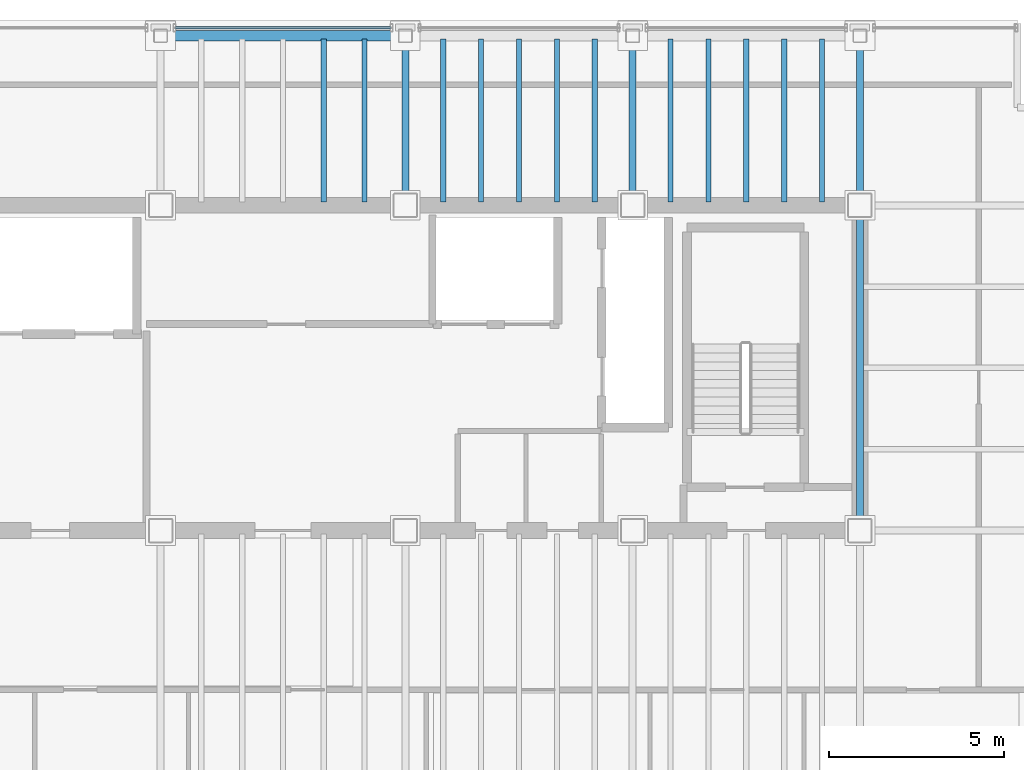
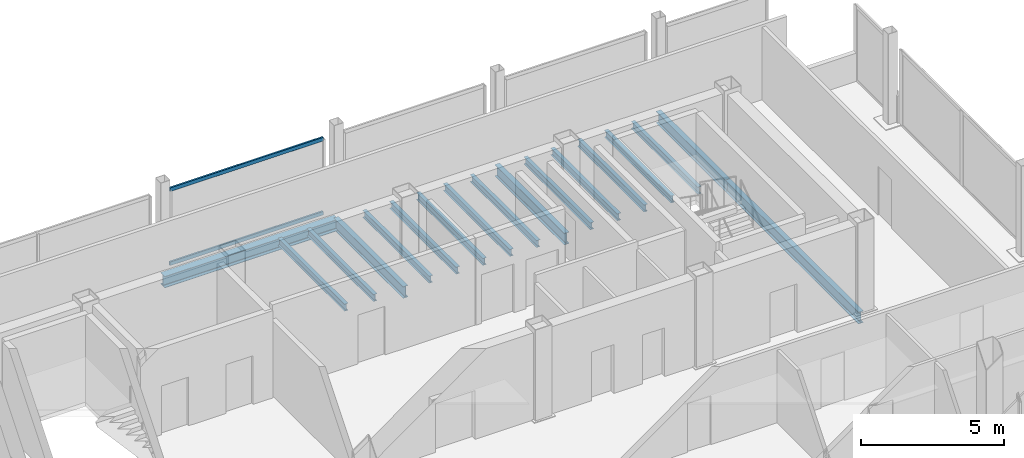
# One storey, part 9 of 17: 17 beams, 2 members, 1 element without a shape of its own.
"""IFC4 building model written with IfcOpenShell, lengths in metres."""

from ifc_helpers import new_model, si_unit, direction, frame, origin, origin_2d, place, context, subcontext, project, spatial, hollow_rectangle, i_section, extrude, material, material_profile, profile_set, type_object, element, aggregate, save


model = new_model("IFC4")

# Units and contexts
model_context = context("Model", 3, precision=1e-05, world=origin(), true_north=direction((0.0, 1.0)))
body_context = subcontext(model_context, "Body", "Model", "MODEL_VIEW")
ifc_project = project(units=[si_unit("LENGTHUNIT", "METRE"), si_unit("AREAUNIT", "SQUARE_METRE"), si_unit("VOLUMEUNIT", "CUBIC_METRE"), si_unit("PLANEANGLEUNIT", "RADIAN"), si_unit("MASSUNIT", "GRAM", prefix="KILO")], contexts=[model_context])

# Site, building, storey
site_placement = place(None, origin())
site = spatial("IfcSite", under=ifc_project, at=site_placement, CompositionType="ELEMENT")
building_placement = place(site_placement, origin())
building = spatial("IfcBuilding", under=site, at=building_placement, Name="Noeulbin Bourse Tower", CompositionType="ELEMENT")
storey_placement = place(building_placement, frame((0.0, 0.0, 293.0)))
storey = spatial("IfcBuildingStorey", under=building, at=storey_placement, Name="L73", CompositionType="ELEMENT", Elevation=293.0)

# Beams
ifc_material_1 = material(Name="Steel S355", Category="steel")
ifc_material_profile_1 = material_profile(ifc_material_1, i_section(OverallWidth=0.199951171875, OverallDepth=0.5, WebThickness=0.010009765625, FlangeThickness=0.01611328125, FilletRadius=0.02001953125, at=origin_2d()), Name="H-500x200x10x16", Category="LoadBearing")
ifc_profile_set_1 = profile_set([ifc_material_profile_1], Name="Steel S355")
beam_type_1 = type_object("IfcBeamType", Name="BM-GRD-500", PredefinedType="USERDEFINED", material=ifc_profile_set_1)
for number, where, z_axis, x_axis, name in (
    (1, (31.0, 38.300048828125, -0.429931640625), (0.0, 1.0, 0.0), (-1.0, 0.0, 0.0), "Tower Primary Girder NS L73-3.4"),
    (2, (37.5, 38.300048828125, -0.429931640625), (0.0, 1.0, 0.0), (-1.0, 0.0, 0.0), "Tower Primary Girder NS L73-4.4"),
):
    element("IfcBeam", number, at=place(storey_placement, frame(where, z_axis=z_axis, x_axis=x_axis)), inside=storey, type_object=beam_type_1, Name=name, ObjectType="GIRDER", PredefinedType="USERDEFINED", context=body_context, shape_type="SweptSolid", body=[
        extrude(i_section(OverallWidth=0.199951171875, OverallDepth=0.5, WebThickness=0.010009765625, FlangeThickness=0.01611328125, FilletRadius=0.02001953125, at=origin_2d()), origin(), (0.0, 0.0, 1.0), 4.849853515625),
    ])
beam_1_placement = place(storey_placement, frame((44.0, 29.0, -0.429931640625), z_axis=(0.0, 1.0, 0.0), x_axis=(-1.0, 0.0, 0.0)))
element("IfcBeam", 3, at=beam_1_placement, inside=storey, type_object=beam_type_1, Name="Tower Primary Girder NS L73-5.3", ObjectType="GIRDER", PredefinedType="USERDEFINED", context=body_context, shape_type="SweptSolid", body=[
    extrude(i_section(OverallWidth=0.199951171875, OverallDepth=0.5, WebThickness=0.010009765625, FlangeThickness=0.01611328125, FilletRadius=0.02001953125, at=origin_2d()), origin(), (0.0, 0.0, 1.0), 9.300048828125),
])
beam_2_placement = place(storey_placement, frame((44.0, 38.300048828125, -0.429931640625), z_axis=(0.0, 1.0, 0.0), x_axis=(-1.0, 0.0, 0.0)))
element("IfcBeam", 4, at=beam_2_placement, inside=storey, type_object=beam_type_1, Name="Tower Primary Girder NS L73-5.4", ObjectType="GIRDER", PredefinedType="USERDEFINED", context=body_context, shape_type="SweptSolid", body=[
    extrude(i_section(OverallWidth=0.199951171875, OverallDepth=0.5, WebThickness=0.010009765625, FlangeThickness=0.01611328125, FilletRadius=0.02001953125, at=origin_2d()), origin(), (0.0, 0.0, 1.0), 4.849853515625),
])
ifc_material_profile_2 = material_profile(ifc_material_1, i_section(OverallWidth=0.14990234375, OverallDepth=0.300048828125, WebThickness=0.006591796875, FlangeThickness=0.009033203125, FilletRadius=0.012939453125, at=origin_2d()), Name="H-300x150x6.5x9", Category="LoadBearing")
ifc_profile_set_2 = profile_set([ifc_material_profile_2], Name="Steel S355")
beam_type_2 = type_object("IfcBeamType", Name="BM-JST-300", PredefinedType="JOIST", material=ifc_profile_set_2)
for number, where, z_axis, x_axis, name in (
    (5, (28.666748046875, 38.39990234375, -0.330078125), (0.0, 1.0, 0.0), (-1.0, 0.0, 0.0), "Tower Composite Joist L73-08"),
    (6, (29.833251953125, 38.39990234375, -0.330078125), (0.0, 1.0, 0.0), (-1.0, 0.0, 0.0), "Tower Composite Joist L73-10"),
    (7, (32.083251953125, 38.39990234375, -0.330078125), (0.0, 1.0, 0.0), (-1.0, 0.0, 0.0), "Tower Composite Joist L73-12"),
    (8, (33.166748046875, 38.39990234375, -0.330078125), (0.0, 1.0, 0.0), (-1.0, 0.0, 0.0), "Tower Composite Joist L73-14"),
    (9, (34.25, 38.39990234375, -0.330078125), (0.0, 1.0, 0.0), (-1.0, 0.0, 0.0), "Tower Composite Joist L73-16"),
    (10, (35.333251953125, 38.39990234375, -0.330078125), (0.0, 1.0, 0.0), (-1.0, 0.0, 0.0), "Tower Composite Joist L73-18"),
    (11, (36.416748046875, 38.39990234375, -0.330078125), (0.0, 1.0, 0.0), (-1.0, 0.0, 0.0), "Tower Composite Joist L73-20"),
    (12, (38.583251953125, 38.39990234375, -0.330078125), (0.0, 1.0, 0.0), (-1.0, 0.0, 0.0), "Tower Composite Joist L73-22"),
    (13, (39.666748046875, 38.39990234375, -0.330078125), (0.0, 1.0, 0.0), (-1.0, 0.0, 0.0), "Tower Composite Joist L73-24"),
    (14, (40.75, 38.39990234375, -0.330078125), (0.0, 1.0, 0.0), (-1.0, 0.0, 0.0), "Tower Composite Joist L73-26"),
    (15, (41.833251953125, 38.39990234375, -0.330078125), (0.0, 1.0, 0.0), (-1.0, 0.0, 0.0), "Tower Composite Joist L73-28"),
    (16, (42.916748046875, 38.39990234375, -0.330078125), (0.0, 1.0, 0.0), (-1.0, 0.0, 0.0), "Tower Composite Joist L73-30"),
):
    element("IfcBeam", number, at=place(storey_placement, frame(where, z_axis=z_axis, x_axis=x_axis)), inside=storey, type_object=beam_type_2, Name=name, PredefinedType="JOIST", context=body_context, shape_type="SweptSolid", body=[
        extrude(i_section(OverallWidth=0.14990234375, OverallDepth=0.300048828125, WebThickness=0.006591796875, FlangeThickness=0.009033203125, FilletRadius=0.012939453125, at=origin_2d()), origin(), (0.0, 0.0, 1.0), 4.650146484375),
    ])
ifc_material_profile_3 = material_profile(ifc_material_1, i_section(OverallWidth=0.300048828125, OverallDepth=0.488037109375, WebThickness=0.010986328125, FlangeThickness=0.01806640625, FilletRadius=0.02197265625, at=origin_2d()), Name="H-488x300x11x18", Category="LoadBearing")
ifc_profile_set_3 = profile_set([ifc_material_profile_3], Name="Steel S355")
beam_type_3 = type_object("IfcBeamType", Name="BM-SPN-488", PredefinedType="SPANDREL", material=ifc_profile_set_3)
beam_3_placement = place(storey_placement, frame((24.0, 43.14990234375, -0.424072265625), z_axis=(1.0, 0.0, 0.0), x_axis=(0.0, 1.0, 0.0)))
element("IfcBeam", 17, at=beam_3_placement, inside=storey, type_object=beam_type_3, Name="North Spandrel L73-1", PredefinedType="SPANDREL", context=body_context, shape_type="SweptSolid", body=[
    extrude(i_section(OverallWidth=0.300048828125, OverallDepth=0.488037109375, WebThickness=0.010986328125, FlangeThickness=0.01806640625, FilletRadius=0.02197265625, at=origin_2d()), origin(), (0.0, 0.0, 1.0), 7.0),
])

# Curtain wall, members
ifc_material_2 = material(Name="High-Selectivity Low-Iron Glazing", Category="glass")
curtain_wall_type = type_object("IfcCurtainWallType", Name="CW-SYS-4", PredefinedType="NOTDEFINED", material=ifc_material_2)
curtain_wall_placement = place(storey_placement, origin())
curtain_wall = element("IfcCurtainWall", 18, at=curtain_wall_placement, inside=storey, type_object=curtain_wall_type, Name="Unitised Curtain Wall CW-L73-N-S2", PredefinedType="NOTDEFINED")
ifc_material_3 = material(Name="Anodised Aluminium 6063-T6", Category="aluminium")
ifc_material_profile_4 = material_profile(ifc_material_3, hollow_rectangle(XDim=0.074951171875, YDim=0.159912109375, WallThickness=0.0048828125, InnerFilletRadius=0.00244140625, OuterFilletRadius=0.0048828125, at=origin_2d()), Name="ALU-TRAN-75x160x5", Category="LoadBearing")
ifc_profile_set_4 = profile_set([ifc_material_profile_4], Name="Anodised Aluminium 6063-T6")
member_type = type_object("IfcMemberType", Name="CW-SYS-4-TRN", PredefinedType="USERDEFINED", material=ifc_profile_set_4)
member_1_placement = place(storey_placement, frame((24.409912109375, 43.3798828125, 0.010009765625), z_axis=(1.0, 0.0, 0.0), x_axis=(0.0, 1.0, 0.0)))
member_1 = element("IfcMember", 19, at=member_1_placement, type_object=member_type, Name="Curtain Wall Transom CW-L73-N-S2-T00", ObjectType="TRANSOM", PredefinedType="USERDEFINED", context=body_context, shape_type="SweptSolid", body=[
    extrude(hollow_rectangle(XDim=0.074951171875, YDim=0.159912109375, WallThickness=0.0048828125, InnerFilletRadius=0.00244140625, OuterFilletRadius=0.0048828125, at=origin_2d()), origin(), (0.0, 0.0, 1.0), 6.18017578125),
])
member_2_placement = place(storey_placement, frame((24.409912109375, 43.3798828125, 3.169921875), z_axis=(1.0, 0.0, 0.0), x_axis=(0.0, 1.0, 0.0)))
member_2 = element("IfcMember", 20, at=member_2_placement, type_object=member_type, Name="Curtain Wall Transom CW-L73-N-S2-T01", ObjectType="TRANSOM", PredefinedType="USERDEFINED", context=body_context, shape_type="SweptSolid", body=[
    extrude(hollow_rectangle(XDim=0.074951171875, YDim=0.159912109375, WallThickness=0.0048828125, InnerFilletRadius=0.00244140625, OuterFilletRadius=0.0048828125, at=origin_2d()), origin(), (0.0, 0.0, 1.0), 6.18017578125),
])
aggregate(curtain_wall, [member_1, member_2])

save(model, "model.ifc")
